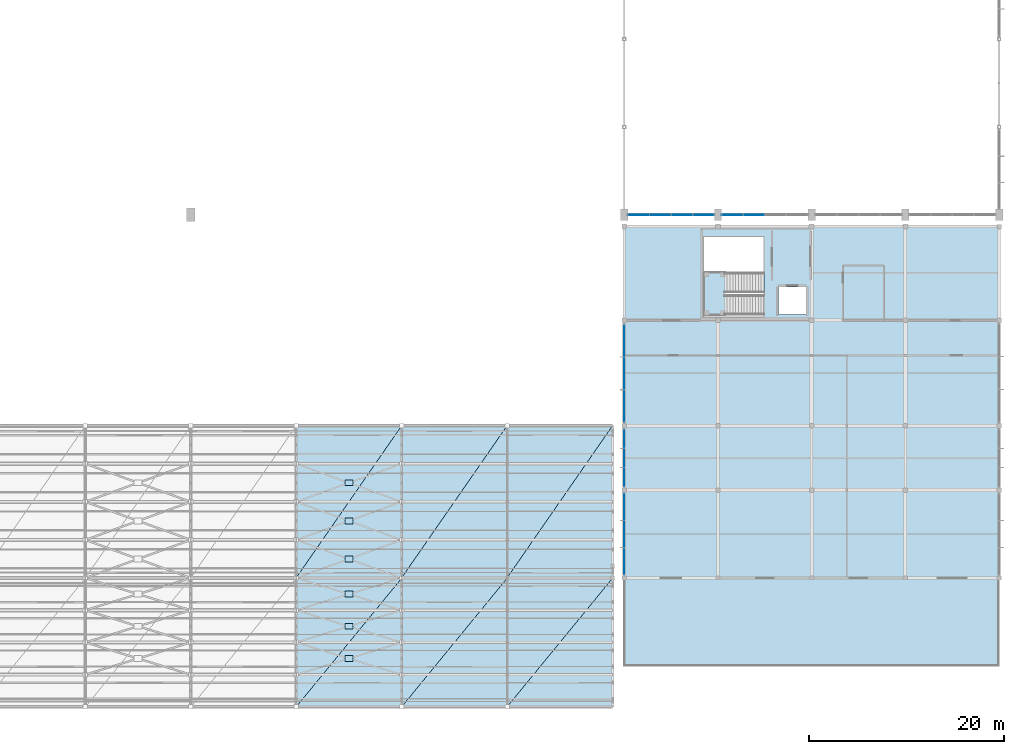
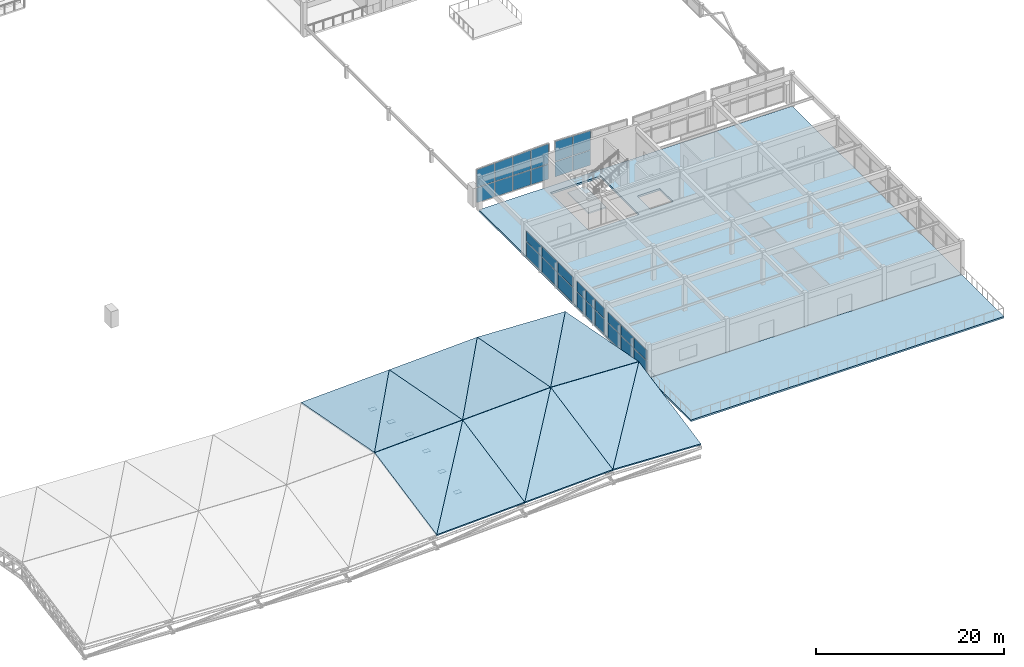
# One storey, part 60 of 89: 36 plates, 15 slabs, 6 elements without a shape of their own.
"""IFC4 building model written with IfcOpenShell, lengths in metres."""

from ifc_helpers import new_model, si_unit, direction, frame, origin, origin_2d, place, context, subcontext, project, spatial, polyline, rectangle, outline, extrude, material, layer, layer_set, type_object, element, aggregate, save


model = new_model("IFC4")

# Units and contexts
model_context = context("Model", 3, precision=1e-05, world=origin(), true_north=direction((0.0, 1.0)))
body_context = subcontext(model_context, "Body", "Model", "MODEL_VIEW")
ifc_project = project(units=[si_unit("LENGTHUNIT", "METRE"), si_unit("AREAUNIT", "SQUARE_METRE"), si_unit("VOLUMEUNIT", "CUBIC_METRE"), si_unit("PLANEANGLEUNIT", "RADIAN"), si_unit("MASSUNIT", "GRAM", prefix="KILO")], contexts=[model_context])

# Site, building, storey
site_placement = place(None, origin())
site = spatial("IfcSite", under=ifc_project, at=site_placement, CompositionType="ELEMENT")
building_placement = place(site_placement, origin())
building = spatial("IfcBuilding", under=site, at=building_placement, Name="Suirenkawa Promenade Aquatics Centre", CompositionType="ELEMENT")
storey_placement = place(building_placement, frame((0.0, 0.0, 9.60009765625)))
storey = spatial("IfcBuildingStorey", under=building, at=storey_placement, Name="L02", CompositionType="ELEMENT", Elevation=9.60009765625)

# Curtain wall, plates
ifc_material_1 = material(Name="Anodised aluminium 6063-T6", Category="aluminium")
curtain_wall_type_1 = type_object("IfcCurtainWallType", Name="CWAT-V4WL02-36", PredefinedType="NOTDEFINED", material=ifc_material_1)
curtain_wall_1_placement = place(storey_placement, origin())
curtain_wall_1 = element("IfcCurtainWall", 1, at=curtain_wall_1_placement, inside=storey, type_object=curtain_wall_type_1, Name="Curtain wall CWA-36 CW-079", PredefinedType="NOTDEFINED")
ifc_material_2 = material(Name="Low-E thermally broken double glazing", Category="glass")
ifc_layer_1 = layer(ifc_material_2, 0.028076171875, Name="Low-E thermally broken double glazing", Category="glass")
ifc_layer_set_1 = layer_set([ifc_layer_1], Name="Low-E thermally broken double glazing")
plate_type_1 = type_object("IfcPlateType", Name="CWP-LOWE-28", PredefinedType="CURTAIN_PANEL", material=ifc_layer_set_1)
plate_1_placement = place(storey_placement, frame((156.0, 13.549072265625, 0.039794921875), z_axis=(0.0, 0.0, 1.0), x_axis=(0.0, 1.0, 0.0)))
plate_1 = element("IfcPlate", 2, at=plate_1_placement, type_object=plate_type_1, Name="Glazed panel CP-02 CWP-01578", PredefinedType="CURTAIN_PANEL", context=body_context, shape_type="SweptSolid", body=[
    extrude(outline(polyline([(0.0400390625, 0.0), (2.727294921875, 0.0), (2.727294921875, 1.920166015625), (0.0400390625, 1.920166015625), (0.0400390625, 0.0)])), frame((0.0, 0.01416015625, 0.0), z_axis=(0.0, -1.0, 0.0), x_axis=(1.0, 0.0, 0.0)), (0.0, 0.0, 1.0), 0.028076171875),
])
plate_2_placement = place(storey_placement, frame((156.0, 13.549072265625, 2.039794921875), z_axis=(0.0, 0.0, 1.0), x_axis=(0.0, 1.0, 0.0)))
plate_2 = element("IfcPlate", 3, at=plate_2_placement, type_object=plate_type_1, Name="Top glazed panel CP-02 CWP-01579", PredefinedType="CURTAIN_PANEL", context=body_context, shape_type="SweptSolid", body=[
    extrude(outline(polyline([(0.0400390625, 0.0), (2.727294921875, 0.0), (2.727294921875, 1.340087890625), (0.0400390625, 1.340087890625), (0.0400390625, 0.0)])), frame((0.0, 0.01416015625, 0.0), z_axis=(0.0, -1.0, 0.0), x_axis=(1.0, 0.0, 0.0)), (0.0, 0.0, 1.0), 0.028076171875),
])
plate_3_placement = place(storey_placement, frame((156.0, 16.31640625, 0.039794921875), z_axis=(0.0, 0.0, 1.0), x_axis=(0.0, 1.0, 0.0)))
plate_3 = element("IfcPlate", 4, at=plate_3_placement, type_object=plate_type_1, Name="Glazed panel CP-02 CWP-01580", PredefinedType="CURTAIN_PANEL", context=body_context, shape_type="SweptSolid", body=[
    extrude(outline(polyline([(0.0400390625, 0.0), (2.727294921875, 0.0), (2.727294921875, 1.920166015625), (0.0400390625, 1.920166015625), (0.0400390625, 0.0)])), frame((0.0, 0.01416015625, 0.0), z_axis=(0.0, -1.0, 0.0), x_axis=(1.0, 0.0, 0.0)), (0.0, 0.0, 1.0), 0.028076171875),
])
plate_4_placement = place(storey_placement, frame((156.0, 16.31640625, 2.039794921875), z_axis=(0.0, 0.0, 1.0), x_axis=(0.0, 1.0, 0.0)))
plate_4 = element("IfcPlate", 5, at=plate_4_placement, type_object=plate_type_1, Name="Top glazed panel CP-02 CWP-01581", PredefinedType="CURTAIN_PANEL", context=body_context, shape_type="SweptSolid", body=[
    extrude(outline(polyline([(0.0400390625, 0.0), (2.727294921875, 0.0), (2.727294921875, 1.340087890625), (0.0400390625, 1.340087890625), (0.0400390625, 0.0)])), frame((0.0, 0.01416015625, 0.0), z_axis=(0.0, -1.0, 0.0), x_axis=(1.0, 0.0, 0.0)), (0.0, 0.0, 1.0), 0.028076171875),
])
plate_5_placement = place(storey_placement, frame((156.0, 19.083740234375, 0.039794921875), z_axis=(0.0, 0.0, 1.0), x_axis=(0.0, 1.0, 0.0)))
plate_5 = element("IfcPlate", 6, at=plate_5_placement, type_object=plate_type_1, Name="Glazed panel CP-02 CWP-01582", PredefinedType="CURTAIN_PANEL", context=body_context, shape_type="SweptSolid", body=[
    extrude(outline(polyline([(0.0400390625, 0.0), (2.727294921875, 0.0), (2.727294921875, 1.920166015625), (0.0400390625, 1.920166015625), (0.0400390625, 0.0)])), frame((0.0, 0.01416015625, 0.0), z_axis=(0.0, -1.0, 0.0), x_axis=(1.0, 0.0, 0.0)), (0.0, 0.0, 1.0), 0.028076171875),
])
plate_6_placement = place(storey_placement, frame((156.0, 19.083740234375, 2.039794921875), z_axis=(0.0, 0.0, 1.0), x_axis=(0.0, 1.0, 0.0)))
plate_6 = element("IfcPlate", 7, at=plate_6_placement, type_object=plate_type_1, Name="Top glazed panel CP-02 CWP-01583", PredefinedType="CURTAIN_PANEL", context=body_context, shape_type="SweptSolid", body=[
    extrude(outline(polyline([(0.0400390625, 0.0), (2.727294921875, 0.0), (2.727294921875, 1.340087890625), (0.0400390625, 1.340087890625), (0.0400390625, 0.0)])), frame((0.0, 0.01416015625, 0.0), z_axis=(0.0, -1.0, 0.0), x_axis=(1.0, 0.0, 0.0)), (0.0, 0.0, 1.0), 0.028076171875),
])
aggregate(curtain_wall_1, [plate_1, plate_2, plate_3, plate_4, plate_5, plate_6])

curtain_wall_type_2 = type_object("IfcCurtainWallType", Name="CWAT-V4WL02-38", PredefinedType="NOTDEFINED", material=ifc_material_1)
curtain_wall_2_placement = place(storey_placement, origin())
curtain_wall_2 = element("IfcCurtainWall", 8, at=curtain_wall_2_placement, inside=storey, type_object=curtain_wall_type_2, Name="Curtain wall CWA-38 CW-081", PredefinedType="NOTDEFINED")
plate_7_placement = place(storey_placement, frame((156.0, 22.549072265625, 0.039794921875), z_axis=(0.0, 0.0, 1.0), x_axis=(0.0, 1.0, 0.0)))
plate_7 = element("IfcPlate", 9, at=plate_7_placement, type_object=plate_type_1, Name="Glazed panel CP-02 CWP-01612", PredefinedType="CURTAIN_PANEL", context=body_context, shape_type="SweptSolid", body=[
    extrude(outline(polyline([(0.0400390625, 0.0), (1.92724609375, 0.0), (1.92724609375, 1.920166015625), (0.0400390625, 1.920166015625), (0.0400390625, 0.0)])), frame((0.0, 0.01416015625, 0.0), z_axis=(0.0, -1.0, 0.0), x_axis=(1.0, 0.0, 0.0)), (0.0, 0.0, 1.0), 0.028076171875),
])
plate_8_placement = place(storey_placement, frame((156.0, 22.549072265625, 2.039794921875), z_axis=(0.0, 0.0, 1.0), x_axis=(0.0, 1.0, 0.0)))
plate_8 = element("IfcPlate", 10, at=plate_8_placement, type_object=plate_type_1, Name="Top glazed panel CP-02 CWP-01613", PredefinedType="CURTAIN_PANEL", context=body_context, shape_type="SweptSolid", body=[
    extrude(outline(polyline([(0.0400390625, 0.0), (1.92724609375, 0.0), (1.92724609375, 1.340087890625), (0.0400390625, 1.340087890625), (0.0400390625, 0.0)])), frame((0.0, 0.01416015625, 0.0), z_axis=(0.0, -1.0, 0.0), x_axis=(1.0, 0.0, 0.0)), (0.0, 0.0, 1.0), 0.028076171875),
])
plate_9_placement = place(storey_placement, frame((156.0, 24.516357421875, 0.039794921875), z_axis=(0.0, 0.0, 1.0), x_axis=(0.0, 1.0, 0.0)))
plate_9 = element("IfcPlate", 11, at=plate_9_placement, type_object=plate_type_1, Name="Glazed panel CP-02 CWP-01614", PredefinedType="CURTAIN_PANEL", context=body_context, shape_type="SweptSolid", body=[
    extrude(outline(polyline([(0.0400390625, 0.0), (1.92724609375, 0.0), (1.92724609375, 1.920166015625), (0.0400390625, 1.920166015625), (0.0400390625, 0.0)])), frame((0.0, 0.01416015625, 0.0), z_axis=(0.0, -1.0, 0.0), x_axis=(1.0, 0.0, 0.0)), (0.0, 0.0, 1.0), 0.028076171875),
])
plate_10_placement = place(storey_placement, frame((156.0, 24.516357421875, 2.039794921875), z_axis=(0.0, 0.0, 1.0), x_axis=(0.0, 1.0, 0.0)))
plate_10 = element("IfcPlate", 12, at=plate_10_placement, type_object=plate_type_1, Name="Top glazed panel CP-02 CWP-01615", PredefinedType="CURTAIN_PANEL", context=body_context, shape_type="SweptSolid", body=[
    extrude(outline(polyline([(0.0400390625, 0.0), (1.92724609375, 0.0), (1.92724609375, 1.340087890625), (0.0400390625, 1.340087890625), (0.0400390625, 0.0)])), frame((0.0, 0.01416015625, 0.0), z_axis=(0.0, -1.0, 0.0), x_axis=(1.0, 0.0, 0.0)), (0.0, 0.0, 1.0), 0.028076171875),
])
plate_11_placement = place(storey_placement, frame((156.0, 26.483642578125, 0.039794921875), z_axis=(0.0, 0.0, 1.0), x_axis=(0.0, 1.0, 0.0)))
plate_11 = element("IfcPlate", 13, at=plate_11_placement, type_object=plate_type_1, Name="Glazed panel CP-02 CWP-01616", PredefinedType="CURTAIN_PANEL", context=body_context, shape_type="SweptSolid", body=[
    extrude(outline(polyline([(0.0400390625, 0.0), (1.92724609375, 0.0), (1.92724609375, 1.920166015625), (0.0400390625, 1.920166015625), (0.0400390625, 0.0)])), frame((0.0, 0.01416015625, 0.0), z_axis=(0.0, -1.0, 0.0), x_axis=(1.0, 0.0, 0.0)), (0.0, 0.0, 1.0), 0.028076171875),
])
plate_12_placement = place(storey_placement, frame((156.0, 26.483642578125, 2.039794921875), z_axis=(0.0, 0.0, 1.0), x_axis=(0.0, 1.0, 0.0)))
plate_12 = element("IfcPlate", 14, at=plate_12_placement, type_object=plate_type_1, Name="Top glazed panel CP-02 CWP-01617", PredefinedType="CURTAIN_PANEL", context=body_context, shape_type="SweptSolid", body=[
    extrude(outline(polyline([(0.0400390625, 0.0), (1.92724609375, 0.0), (1.92724609375, 1.340087890625), (0.0400390625, 1.340087890625), (0.0400390625, 0.0)])), frame((0.0, 0.01416015625, 0.0), z_axis=(0.0, -1.0, 0.0), x_axis=(1.0, 0.0, 0.0)), (0.0, 0.0, 1.0), 0.028076171875),
])
aggregate(curtain_wall_2, [plate_7, plate_8, plate_9, plate_10, plate_11, plate_12])

curtain_wall_type_3 = type_object("IfcCurtainWallType", Name="CWAT-V4WL02-40", PredefinedType="NOTDEFINED", material=ifc_material_1)
curtain_wall_3_placement = place(storey_placement, origin())
curtain_wall_3 = element("IfcCurtainWall", 15, at=curtain_wall_3_placement, inside=storey, type_object=curtain_wall_type_3, Name="Curtain wall CWA-40 CW-083", PredefinedType="NOTDEFINED")
plate_13_placement = place(storey_placement, frame((156.0, 29.14892578125, 0.039794921875), z_axis=(0.0, 0.0, 1.0), x_axis=(0.0, 1.0, 0.0)))
plate_13 = element("IfcPlate", 16, at=plate_13_placement, type_object=plate_type_1, Name="Glazed panel CP-02 CWP-01646", PredefinedType="CURTAIN_PANEL", context=body_context, shape_type="SweptSolid", body=[
    extrude(outline(polyline([(0.0400390625, 0.0), (3.2939453125, 0.0), (3.2939453125, 1.920166015625), (0.0400390625, 1.920166015625), (0.0400390625, 0.0)])), frame((0.0, 0.01416015625, 0.0), z_axis=(0.0, -1.0, 0.0), x_axis=(1.0, 0.0, 0.0)), (0.0, 0.0, 1.0), 0.028076171875),
])
plate_14_placement = place(storey_placement, frame((156.0, 29.14892578125, 2.039794921875), z_axis=(0.0, 0.0, 1.0), x_axis=(0.0, 1.0, 0.0)))
plate_14 = element("IfcPlate", 17, at=plate_14_placement, type_object=plate_type_1, Name="Top glazed panel CP-02 CWP-01647", PredefinedType="CURTAIN_PANEL", context=body_context, shape_type="SweptSolid", body=[
    extrude(outline(polyline([(0.0400390625, 0.0), (3.2939453125, 0.0), (3.2939453125, 1.340087890625), (0.0400390625, 1.340087890625), (0.0400390625, 0.0)])), frame((0.0, 0.01416015625, 0.0), z_axis=(0.0, -1.0, 0.0), x_axis=(1.0, 0.0, 0.0)), (0.0, 0.0, 1.0), 0.028076171875),
])
plate_15_placement = place(storey_placement, frame((156.0, 32.48291015625, 0.039794921875), z_axis=(0.0, 0.0, 1.0), x_axis=(0.0, 1.0, 0.0)))
plate_15 = element("IfcPlate", 18, at=plate_15_placement, type_object=plate_type_1, Name="Glazed panel CP-02 CWP-01648", PredefinedType="CURTAIN_PANEL", context=body_context, shape_type="SweptSolid", body=[
    extrude(outline(polyline([(0.0400390625, 0.0), (3.2939453125, 0.0), (3.2939453125, 1.920166015625), (0.0400390625, 1.920166015625), (0.0400390625, 0.0)])), frame((0.0, 0.01416015625, 0.0), z_axis=(0.0, -1.0, 0.0), x_axis=(1.0, 0.0, 0.0)), (0.0, 0.0, 1.0), 0.028076171875),
])
plate_16_placement = place(storey_placement, frame((156.0, 32.48291015625, 2.039794921875), z_axis=(0.0, 0.0, 1.0), x_axis=(0.0, 1.0, 0.0)))
plate_16 = element("IfcPlate", 19, at=plate_16_placement, type_object=plate_type_1, Name="Top glazed panel CP-02 CWP-01649", PredefinedType="CURTAIN_PANEL", context=body_context, shape_type="SweptSolid", body=[
    extrude(outline(polyline([(0.0400390625, 0.0), (3.2939453125, 0.0), (3.2939453125, 1.340087890625), (0.0400390625, 1.340087890625), (0.0400390625, 0.0)])), frame((0.0, 0.01416015625, 0.0), z_axis=(0.0, -1.0, 0.0), x_axis=(1.0, 0.0, 0.0)), (0.0, 0.0, 1.0), 0.028076171875),
])
plate_17_placement = place(storey_placement, frame((156.0, 35.81689453125, 0.039794921875), z_axis=(0.0, 0.0, 1.0), x_axis=(0.0, 1.0, 0.0)))
plate_17 = element("IfcPlate", 20, at=plate_17_placement, type_object=plate_type_1, Name="Glazed panel CP-02 CWP-01650", PredefinedType="CURTAIN_PANEL", context=body_context, shape_type="SweptSolid", body=[
    extrude(outline(polyline([(0.0400390625, 0.0), (3.2939453125, 0.0), (3.2939453125, 1.920166015625), (0.0400390625, 1.920166015625), (0.0400390625, 0.0)])), frame((0.0, 0.01416015625, 0.0), z_axis=(0.0, -1.0, 0.0), x_axis=(1.0, 0.0, 0.0)), (0.0, 0.0, 1.0), 0.028076171875),
])
plate_18_placement = place(storey_placement, frame((156.0, 35.81689453125, 2.039794921875), z_axis=(0.0, 0.0, 1.0), x_axis=(0.0, 1.0, 0.0)))
plate_18 = element("IfcPlate", 21, at=plate_18_placement, type_object=plate_type_1, Name="Top glazed panel CP-02 CWP-01651", PredefinedType="CURTAIN_PANEL", context=body_context, shape_type="SweptSolid", body=[
    extrude(outline(polyline([(0.0400390625, 0.0), (3.2939453125, 0.0), (3.2939453125, 1.340087890625), (0.0400390625, 1.340087890625), (0.0400390625, 0.0)])), frame((0.0, 0.01416015625, 0.0), z_axis=(0.0, -1.0, 0.0), x_axis=(1.0, 0.0, 0.0)), (0.0, 0.0, 1.0), 0.028076171875),
])
aggregate(curtain_wall_3, [plate_13, plate_14, plate_15, plate_16, plate_17, plate_18])

curtain_wall_type_4 = type_object("IfcCurtainWallType", Name="CWAT-V2S-16", PredefinedType="NOTDEFINED", material=ifc_material_1)
curtain_wall_4_placement = place(storey_placement, origin())
curtain_wall_4 = element("IfcCurtainWall", 22, at=curtain_wall_4_placement, inside=storey, type_object=curtain_wall_type_4, Name="Curtain wall CWA-16 CW-035", PredefinedType="NOTDEFINED")
ifc_material_3 = material(Name="Ceramic-fritted low-SHGC double glazing", Category="glass")
ifc_layer_2 = layer(ifc_material_3, 0.035888671875, Name="Ceramic-fritted low-SHGC double glazing", Category="glass")
ifc_layer_set_2 = layer_set([ifc_layer_2], Name="Ceramic-fritted low-SHGC double glazing")
plate_type_2 = type_object("IfcPlateType", Name="CWP-SHOJI-36", PredefinedType="CURTAIN_PANEL", material=ifc_layer_set_2)
plate_19_placement = place(storey_placement, frame((165.22607421875, 50.39990234375, 0.039794921875), z_axis=(0.0, 0.0, 1.0), x_axis=(-1.0, 0.0, 0.0)))
plate_19 = element("IfcPlate", 23, at=plate_19_placement, type_object=plate_type_2, Name="Glazed panel CP-01 CWP-00731", PredefinedType="CURTAIN_PANEL", context=body_context, shape_type="SweptSolid", body=[
    extrude(outline(polyline([(0.0400390625, 0.0), (2.173095703125, 0.0), (2.173095703125, 1.920166015625), (0.0400390625, 1.920166015625), (0.0400390625, 0.0)])), frame((0.0, 0.01806640625, 0.0), z_axis=(0.0, -1.0, 0.0), x_axis=(1.0, 0.0, 0.0)), (0.0, 0.0, 1.0), 0.035888671875),
])
plate_20_placement = place(storey_placement, frame((165.22607421875, 50.39990234375, 2.039794921875), z_axis=(0.0, 0.0, 1.0), x_axis=(-1.0, 0.0, 0.0)))
plate_20 = element("IfcPlate", 24, at=plate_20_placement, type_object=plate_type_2, Name="Top glazed panel CP-01 CWP-00732", PredefinedType="CURTAIN_PANEL", context=body_context, shape_type="SweptSolid", body=[
    extrude(outline(polyline([(0.0400390625, 0.0), (2.173095703125, 0.0), (2.173095703125, 2.4951171875), (0.0400390625, 2.570068359375), (0.0400390625, 0.0)])), frame((0.0, 0.01806640625, 0.0), z_axis=(0.0, -1.0, 0.0), x_axis=(1.0, 0.0, 0.0)), (0.0, 0.0, 1.0), 0.035888671875),
])
plate_21_placement = place(storey_placement, frame((163.012939453125, 50.39990234375, 0.039794921875), z_axis=(0.0, 0.0, 1.0), x_axis=(-1.0, 0.0, 0.0)))
plate_21 = element("IfcPlate", 25, at=plate_21_placement, type_object=plate_type_2, Name="Glazed panel CP-01 CWP-00733", PredefinedType="CURTAIN_PANEL", context=body_context, shape_type="SweptSolid", body=[
    extrude(outline(polyline([(0.0400390625, 0.0), (2.173095703125, 0.0), (2.173095703125, 1.920166015625), (0.0400390625, 1.920166015625), (0.0400390625, 0.0)])), frame((0.0, 0.01806640625, 0.0), z_axis=(0.0, -1.0, 0.0), x_axis=(1.0, 0.0, 0.0)), (0.0, 0.0, 1.0), 0.035888671875),
])
plate_22_placement = place(storey_placement, frame((163.012939453125, 50.39990234375, 2.039794921875), z_axis=(0.0, 0.0, 1.0), x_axis=(-1.0, 0.0, 0.0)))
plate_22 = element("IfcPlate", 26, at=plate_22_placement, type_object=plate_type_2, Name="Top glazed panel CP-01 CWP-00734", PredefinedType="CURTAIN_PANEL", context=body_context, shape_type="SweptSolid", body=[
    extrude(outline(polyline([(0.0400390625, 0.0), (2.173095703125, 0.0), (2.173095703125, 2.420166015625), (0.0400390625, 2.4951171875), (0.0400390625, 0.0)])), frame((0.0, 0.01806640625, 0.0), z_axis=(0.0, -1.0, 0.0), x_axis=(1.0, 0.0, 0.0)), (0.0, 0.0, 1.0), 0.035888671875),
])
plate_23_placement = place(storey_placement, frame((160.800048828125, 50.39990234375, 0.039794921875), z_axis=(0.0, 0.0, 1.0), x_axis=(-1.0, 0.0, 0.0)))
plate_23 = element("IfcPlate", 27, at=plate_23_placement, type_object=plate_type_2, Name="Glazed panel CP-01 CWP-00735", PredefinedType="CURTAIN_PANEL", context=body_context, shape_type="SweptSolid", body=[
    extrude(outline(polyline([(0.0400390625, 0.0), (2.173095703125, 0.0), (2.173095703125, 1.920166015625), (0.0400390625, 1.920166015625), (0.0400390625, 0.0)])), frame((0.0, 0.01806640625, 0.0), z_axis=(0.0, -1.0, 0.0), x_axis=(1.0, 0.0, 0.0)), (0.0, 0.0, 1.0), 0.035888671875),
])
plate_24_placement = place(storey_placement, frame((160.800048828125, 50.39990234375, 2.039794921875), z_axis=(0.0, 0.0, 1.0), x_axis=(-1.0, 0.0, 0.0)))
plate_24 = element("IfcPlate", 28, at=plate_24_placement, type_object=plate_type_2, Name="Top glazed panel CP-01 CWP-00736", PredefinedType="CURTAIN_PANEL", context=body_context, shape_type="SweptSolid", body=[
    extrude(outline(polyline([(0.0400390625, 0.0), (2.173095703125, 0.0), (2.173095703125, 2.34521484375), (0.0400390625, 2.420166015625), (0.0400390625, 0.0)])), frame((0.0, 0.01806640625, 0.0), z_axis=(0.0, -1.0, 0.0), x_axis=(1.0, 0.0, 0.0)), (0.0, 0.0, 1.0), 0.035888671875),
])
plate_25_placement = place(storey_placement, frame((158.5869140625, 50.39990234375, 0.039794921875), z_axis=(0.0, 0.0, 1.0), x_axis=(-1.0, 0.0, 0.0)))
plate_25 = element("IfcPlate", 29, at=plate_25_placement, type_object=plate_type_2, Name="Glazed panel CP-01 CWP-00737", PredefinedType="CURTAIN_PANEL", context=body_context, shape_type="SweptSolid", body=[
    extrude(outline(polyline([(0.0400390625, 0.0), (2.173095703125, 0.0), (2.173095703125, 1.920166015625), (0.0400390625, 1.920166015625), (0.0400390625, 0.0)])), frame((0.0, 0.01806640625, 0.0), z_axis=(0.0, -1.0, 0.0), x_axis=(1.0, 0.0, 0.0)), (0.0, 0.0, 1.0), 0.035888671875),
])
plate_26_placement = place(storey_placement, frame((158.5869140625, 50.39990234375, 2.039794921875), z_axis=(0.0, 0.0, 1.0), x_axis=(-1.0, 0.0, 0.0)))
plate_26 = element("IfcPlate", 30, at=plate_26_placement, type_object=plate_type_2, Name="Top glazed panel CP-01 CWP-00738", PredefinedType="CURTAIN_PANEL", context=body_context, shape_type="SweptSolid", body=[
    extrude(outline(polyline([(0.0400390625, 0.0), (2.173095703125, 0.0), (2.173095703125, 2.27001953125), (0.0400390625, 2.34521484375), (0.0400390625, 0.0)])), frame((0.0, 0.01806640625, 0.0), z_axis=(0.0, -1.0, 0.0), x_axis=(1.0, 0.0, 0.0)), (0.0, 0.0, 1.0), 0.035888671875),
])
aggregate(curtain_wall_4, [plate_19, plate_20, plate_21, plate_22, plate_23, plate_24, plate_25, plate_26])

curtain_wall_5_placement = place(storey_placement, origin())
curtain_wall_5 = element("IfcCurtainWall", 31, at=curtain_wall_5_placement, inside=storey, type_object=curtain_wall_type_4, Name="Curtain wall CWA-16 CW-039", PredefinedType="NOTDEFINED")
plate_27_placement = place(storey_placement, frame((170.39990234375, 50.39990234375, 0.039794921875), z_axis=(0.0, 0.0, 1.0), x_axis=(-1.0, 0.0, 0.0)))
plate_27 = element("IfcPlate", 32, at=plate_27_placement, type_object=plate_type_2, Name="Glazed panel CP-01 CWP-00813", PredefinedType="CURTAIN_PANEL", context=body_context, shape_type="SweptSolid", body=[
    extrude(outline(polyline([(0.0400390625, 0.0), (2.173095703125, 0.0), (2.173095703125, 1.920166015625), (0.0400390625, 1.920166015625), (0.0400390625, 0.0)])), frame((0.0, 0.01806640625, 0.0), z_axis=(0.0, -1.0, 0.0), x_axis=(1.0, 0.0, 0.0)), (0.0, 0.0, 1.0), 0.035888671875),
])
plate_28_placement = place(storey_placement, frame((170.39990234375, 50.39990234375, 2.039794921875), z_axis=(0.0, 0.0, 1.0), x_axis=(-1.0, 0.0, 0.0)))
plate_28 = element("IfcPlate", 33, at=plate_28_placement, type_object=plate_type_2, Name="Top glazed panel CP-01 CWP-00814", PredefinedType="CURTAIN_PANEL", context=body_context, shape_type="SweptSolid", body=[
    extrude(outline(polyline([(0.0400390625, 0.0), (2.173095703125, 0.0), (2.173095703125, 2.507568359375), (0.0400390625, 2.445068359375), (0.0400390625, 0.0)])), frame((0.0, 0.01806640625, 0.0), z_axis=(0.0, -1.0, 0.0), x_axis=(1.0, 0.0, 0.0)), (0.0, 0.0, 1.0), 0.035888671875),
])
plate_29_placement = place(storey_placement, frame((168.18701171875, 50.39990234375, 0.039794921875), z_axis=(0.0, 0.0, 1.0), x_axis=(-1.0, 0.0, 0.0)))
plate_29 = element("IfcPlate", 34, at=plate_29_placement, type_object=plate_type_2, Name="Glazed panel CP-01 CWP-00815", PredefinedType="CURTAIN_PANEL", context=body_context, shape_type="SweptSolid", body=[
    extrude(outline(polyline([(0.0400390625, 0.0), (2.173095703125, 0.0), (2.173095703125, 1.920166015625), (0.0400390625, 1.920166015625), (0.0400390625, 0.0)])), frame((0.0, 0.01806640625, 0.0), z_axis=(0.0, -1.0, 0.0), x_axis=(1.0, 0.0, 0.0)), (0.0, 0.0, 1.0), 0.035888671875),
])
plate_30_placement = place(storey_placement, frame((168.18701171875, 50.39990234375, 2.039794921875), z_axis=(0.0, 0.0, 1.0), x_axis=(-1.0, 0.0, 0.0)))
plate_30 = element("IfcPlate", 35, at=plate_30_placement, type_object=plate_type_2, Name="Top glazed panel CP-01 CWP-00816", PredefinedType="CURTAIN_PANEL", context=body_context, shape_type="SweptSolid", body=[
    extrude(outline(polyline([(0.0400390625, 0.0), (2.173095703125, 0.0), (2.173095703125, 2.570068359375), (0.0400390625, 2.507568359375), (0.0400390625, 0.0)])), frame((0.0, 0.01806640625, 0.0), z_axis=(0.0, -1.0, 0.0), x_axis=(1.0, 0.0, 0.0)), (0.0, 0.0, 1.0), 0.035888671875),
])
aggregate(curtain_wall_5, [plate_27, plate_28, plate_29, plate_30])

# Plates
ifc_material_4 = material(Name="Steel IS 2062 E350 (Grade 350)", Category="steel")
ifc_layer_3 = layer(ifc_material_4, 0.02392578125, Name="Steel IS 2062 E350 (Grade 350)", Category="steel")
ifc_layer_set_3 = layer_set([ifc_layer_3], Name="Steel IS 2062 E350 (Grade 350)")
plate_type_3 = type_object("IfcPlateType", Name="PLT-GUSSET-800x600x24", PredefinedType="USERDEFINED", material=ifc_layer_set_3)
for number, where, z_axis, x_axis, name in (
    (36, (127.800048828125, 4.949951171875, 0.096923828125), (0.0, 0.0, 1.0), (1.0, 0.0, 0.0), "Truss node plate TN-04 PLG-0240"),
    (37, (127.800048828125, 8.25, 0.760009765625), (0.0, 0.0, 1.0), (1.0, 0.0, 0.0), "Truss node plate TN-04 PLG-0245"),
    (38, (127.800048828125, 11.550048828125, 1.421875), (0.0, 0.0, 1.0), (1.0, 0.0, 0.0), "Truss node plate TN-04 PLG-0248"),
    (39, (127.800048828125, 15.14990234375, 1.384033203125), (0.0, 0.0, 1.0), (1.0, 0.0, 0.0), "Truss node plate TN-04 PLG-0251"),
    (40, (127.800048828125, 19.050048828125, 0.64697265625), (0.0, 0.0, 1.0), (1.0, 0.0, 0.0), "Truss node plate TN-04 PLG-0254"),
    (41, (127.800048828125, 22.949951171875, -0.091064453125), (0.0, 0.0, 1.0), (1.0, 0.0, 0.0), "Truss node plate TN-04 PLG-0257"),
):
    element("IfcPlate", number, at=place(storey_placement, frame(where, z_axis=z_axis, x_axis=x_axis)), inside=storey, type_object=plate_type_3, Name=name, ObjectType="GUSSET", PredefinedType="USERDEFINED", context=body_context, shape_type="SweptSolid", body=[
        extrude(rectangle(XDim=0.800048828125, YDim=0.60009765625, at=origin_2d()), origin(), (0.0, 0.0, 1.0), 0.02392578125),
    ])

# Stair, slab
ifc_material_5 = material(Name="Concrete M40", Category="concrete")
stair_type = type_object("IfcStairType", Name="STT-CORE-2100-450", PredefinedType="TWO_STRAIGHT_RUN_STAIR", material=ifc_material_5)
stair_placement = place(storey_placement, origin())
stair = element("IfcStair", 42, at=stair_placement, inside=storey, type_object=stair_type, Name="Protected exit stair STR-02 ST-21", PredefinedType="TWO_STRAIGHT_RUN_STAIR")
ifc_layer_4 = layer(ifc_material_5, 0.169921875, Name="Concrete M40", Category="concrete")
ifc_layer_set_4 = layer_set([ifc_layer_4], Name="Concrete M40")
slab_type_1 = type_object("IfcSlabType", Name="SLT-LANDING-170", PredefinedType="LANDING", material=ifc_layer_set_4)
slab_1_placement = place(storey_placement, frame((0.0, 0.0, 2.06982421875)))
slab_1 = element("IfcSlab", 43, at=slab_1_placement, type_object=slab_type_1, Name="Stair landing SL-LND-01 SL-8021", PredefinedType="LANDING", context=body_context, shape_type="SweptSolid", body=[
    extrude(outline(polyline([(164.159912109375, 40.1201171875), (166.35009765625, 40.1201171875), (166.35009765625, 44.510009765625), (164.159912109375, 44.510009765625), (164.159912109375, 40.1201171875)])), origin(), (0.0, 0.0, 1.0), 0.18017578125),
])
aggregate(stair, [slab_1])

# Slabs
ifc_material_6 = material(Name="Concrete M35", Category="concrete")
ifc_layer_5 = layer(ifc_material_6, 0.199951171875, Name="Concrete M35", Category="concrete")
ifc_layer_set_5 = layer_set([ifc_layer_5], Name="Concrete M35")
slab_type_2 = type_object("IfcSlabType", Name="SLT-ROOF-V3-200", PredefinedType="ROOF", material=ifc_layer_set_5)
slab_2_placement = place(storey_placement, frame((122.39990234375, 0.0, -0.550048828125), z_axis=(-0.040810333484, -0.196975199713, 0.979558720741), x_axis=(0.9991332688, 0.0, 0.041625847467)))
element("IfcSlab", 44, at=slab_2_placement, inside=storey, type_object=slab_type_2, Name="Folded roof facet SL-ROOF-03 SL-V3-RFS-05-1", PredefinedType="ROOF", context=body_context, shape_type="SweptSolid", body=[
    extrude(outline(polyline([(0.0, 0.0), (10.809417687690482, 0.0), (10.919722118453892, 13.441314412000033), (0.0, 0.0)])), origin(), (0.0, 0.0, -1.0), 0.199951171875),
])
slab_3_placement = place(storey_placement, frame((122.39990234375, 0.0, -0.550048828125), z_axis=(-0.040810333484, -0.196975199713, 0.979558720741), x_axis=(0.62363542698, 0.760946028033, 0.178997197287)))
element("IfcSlab", 45, at=slab_3_placement, inside=storey, type_object=slab_type_2, Name="Folded roof facet SL-ROOF-03 SL-V3-RFS-05-2", PredefinedType="ROOF", context=body_context, shape_type="SweptSolid", body=[
    extrude(outline(polyline([(0.0, 0.0), (17.317888562595932, -1.27675647831893e-15), (10.502055501582918, 8.389751511895799), (0.0, 0.0)])), origin(), (0.0, 0.0, -1.0), 0.199951171875),
])
slab_4_placement = place(storey_placement, frame((122.39990234375, 13.221923828125, 2.099853515625), z_axis=(-0.040900232123, 0.185902721536, 0.981716531967), x_axis=(0.9991332688, 0.0, 0.041625847467)))
element("IfcSlab", 46, at=slab_4_placement, inside=storey, type_object=slab_type_2, Name="Folded roof facet SL-ROOF-03 SL-V3-RFN-05-1", PredefinedType="ROOF", context=body_context, shape_type="SweptSolid", body=[
    extrude(outline(polyline([(0.0, 0.0), (10.809417687690482, 0.0), (10.686623470174888, 15.854498163367278), (0.0, 0.0)])), origin(), (0.0, 0.0, -1.0), 0.199951171875),
])
slab_5_placement = place(storey_placement, frame((122.39990234375, 13.221923828125, 2.099853515625), z_axis=(-0.040900232123, 0.185902721536, 0.981716531967), x_axis=(0.564860256472, 0.814761472184, -0.130754097843)))
element("IfcSlab", 47, at=slab_5_placement, inside=storey, type_object=slab_type_2, Name="Folded roof facet SL-ROOF-03 SL-V3-RFN-05-2", PredefinedType="ROOF", context=body_context, shape_type="SweptSolid", body=[
    extrude(outline(polyline([(0.0, 0.0), (19.119859654440702, -3.885780586188048e-16), (13.078174263022705, 8.9633447093193), (0.0, 0.0)])), origin(), (0.0, 0.0, -1.0), 0.199951171875),
])
slab_6_placement = place(storey_placement, frame((133.199951171875, 0.0, -0.10009765625), z_axis=(-0.040810187595, -0.196992643209, 0.97955521902), x_axis=(0.9991332688, 0.0, 0.041625847467)))
element("IfcSlab", 48, at=slab_6_placement, inside=storey, type_object=slab_type_2, Name="Folded roof facet SL-ROOF-03 SL-V3-RFS-06-1", PredefinedType="ROOF", context=body_context, shape_type="SweptSolid", body=[
    extrude(outline(polyline([(0.0, 0.0), (10.809417687690482, 1.3877787807814457e-17), (10.919732281014308, 13.441362462095094), (0.0, 0.0)])), origin(), (0.0, 0.0, -1.0), 0.199951171875),
])
slab_7_placement = place(storey_placement, frame((133.199951171875, 0.0, -0.10009765625), z_axis=(-0.04083244, -0.196975021662, 0.979557835293), x_axis=(0.623633853223, 0.76094410777, 0.179010843146)))
element("IfcSlab", 49, at=slab_7_placement, inside=storey, type_object=slab_type_2, Name="Folded roof facet SL-ROOF-03 SL-V3-RFS-06-2", PredefinedType="ROOF", context=body_context, shape_type="SweptSolid", body=[
    extrude(outline(polyline([(0.0, 0.0), (17.317932264749306, 2.220446049250313e-16), (10.502066356595584, 8.38973792387754), (0.0, 0.0)])), origin(), (0.0, 0.0, -1.0), 0.199951171875),
])
slab_8_placement = place(storey_placement, frame((133.199951171875, 13.221923828125, 2.5498046875), z_axis=(-0.040922270123, 0.185917406434, 0.981712832652), x_axis=(0.999132329203, 0.0, 0.041648394219)))
element("IfcSlab", 50, at=slab_8_placement, inside=storey, type_object=slab_type_2, Name="Folded roof facet SL-ROOF-03 SL-V3-RFN-06-1", PredefinedType="ROOF", context=body_context, shape_type="SweptSolid", body=[
    extrude(outline(polyline([(0.0, 0.0), (10.80942785300319, 0.0), (10.686556955606159, 15.85454299688562), (0.0, 0.0)])), origin(), (0.0, 0.0, -1.0), 0.199951171875),
])
slab_9_placement = place(storey_placement, frame((133.199951171875, 13.221923828125, 2.5498046875), z_axis=(-0.040900232123, 0.185902721536, 0.981716531967), x_axis=(0.564860256472, 0.814761472184, -0.130754097843)))
element("IfcSlab", 51, at=slab_9_placement, inside=storey, type_object=slab_type_2, Name="Folded roof facet SL-ROOF-03 SL-V3-RFN-06-2", PredefinedType="ROOF", context=body_context, shape_type="SweptSolid", body=[
    extrude(outline(polyline([(0.0, 0.0), (19.119859654440702, -3.885780586188048e-16), (13.078174263022705, 8.9633447093193), (0.0, 0.0)])), origin(), (0.0, 0.0, -1.0), 0.199951171875),
])
slab_10_placement = place(storey_placement, frame((144.0, 0.0, 0.349853515625), z_axis=(0.040810333484, -0.196975199713, 0.979558720741), x_axis=(0.9991332688, 0.0, -0.041625847467)))
element("IfcSlab", 52, at=slab_10_placement, inside=storey, type_object=slab_type_2, Name="Folded roof facet SL-ROOF-03 SL-V3-RFS-07-1", PredefinedType="ROOF", context=body_context, shape_type="SweptSolid", body=[
    extrude(outline(polyline([(0.0, 0.0), (10.809417687690482, 0.0), (10.699113256927074, 13.441314412000034), (0.0, 0.0)])), origin(), (0.0, 0.0, -1.0), 0.199951171875),
])
slab_11_placement = place(storey_placement, frame((144.0, 0.0, 0.349853515625), z_axis=(0.040832294033, -0.196992465143, 0.979554333583), x_axis=(0.62865404411, 0.767069632636, 0.128055735956)))
element("IfcSlab", 53, at=slab_11_placement, inside=storey, type_object=slab_type_2, Name="Folded roof facet SL-ROOF-03 SL-V3-RFS-07-2", PredefinedType="ROOF", context=body_context, shape_type="SweptSolid", body=[
    extrude(outline(polyline([(0.0, 0.0), (17.17963787763853, -7.771561172376096e-16), (10.447793597316933, 8.457304718099175), (0.0, 0.0)])), origin(), (0.0, 0.0, -1.0), 0.199951171875),
])
slab_12_placement = place(storey_placement, frame((144.0, 13.221923828125, 3.0), z_axis=(0.040922387173, 0.185902552753, 0.981715640656), x_axis=(0.999132329203, 0.0, -0.041648394219)))
element("IfcSlab", 54, at=slab_12_placement, inside=storey, type_object=slab_type_2, Name="Folded roof facet SL-ROOF-03 SL-V3-RFN-07-1", PredefinedType="ROOF", context=body_context, shape_type="SweptSolid", body=[
    extrude(outline(polyline([(0.0, 0.0), (10.80942785300319, -1.3877787807814457e-17), (10.932288582335227, 15.854497648089), (0.0, 0.0)])), origin(), (0.0, 0.0, -1.0), 0.199951171875),
])
slab_13_placement = place(storey_placement, frame((144.0, 13.221923828125, 3.0), z_axis=(0.040900115136, 0.18591757523, 0.981713723955), x_axis=(0.560801278009, 0.808906751072, -0.17655535861)))
element("IfcSlab", 55, at=slab_13_placement, inside=storey, type_object=slab_type_2, Name="Folded roof facet SL-ROOF-03 SL-V3-RFN-07-2", PredefinedType="ROOF", context=body_context, shape_type="SweptSolid", body=[
    extrude(outline(polyline([(0.0, 0.0), (19.258245748788152, -2.7755575615628914e-15), (13.122123272912516, 8.898961271295079), (0.0, 0.0)])), origin(), (0.0, 0.0, -1.0), 0.199951171875),
])
ifc_material_7 = material(Name="Waterproof concrete M40", Category="concrete")
ifc_layer_6 = layer(ifc_material_7, 0.219970703125, Name="Waterproof concrete M40", Category="concrete")
ifc_layer_set_6 = layer_set([ifc_layer_6], Name="Waterproof concrete M40")
slab_type_3 = type_object("IfcSlabType", Name="SLT-TERR-220", PredefinedType="FLOOR", material=ifc_layer_set_6)
slab_14_placement = place(storey_placement, frame((0.0, 0.0, -0.22021484375)))
element("IfcSlab", 56, at=slab_14_placement, inside=storey, type_object=slab_type_3, Name="V4 athlete courtyard terrace SL-EXT-01 SL-0058", PredefinedType="FLOOR", context=body_context, shape_type="SweptSolid", body=[
    extrude(outline(polyline([(156.0, 4.199951171875), (194.39990234375, 4.199951171875), (194.39990234375, 13.199951171875), (156.0, 13.199951171875), (156.0, 4.199951171875)])), origin(), (0.0, 0.0, 1.0), 0.22021484375),
])
ifc_layer_7 = layer(ifc_material_6, 0.260009765625, Name="Concrete M35", Category="concrete")
ifc_layer_set_7 = layer_set([ifc_layer_7], Name="Concrete M35")
slab_type_4 = type_object("IfcSlabType", Name="SLT-WELL-260", PredefinedType="FLOOR", material=ifc_layer_set_7)
slab_15_placement = place(storey_placement, frame((0.0, 0.0, -0.260009765625)))
element("IfcSlab", 57, at=slab_15_placement, inside=storey, type_object=slab_type_4, Name="V4 pavilion floor L02 SL-FLR-04 SL-0057", PredefinedType="FLOOR", context=body_context, shape_type="SweptSolid", body=[
    extrude(outline(polyline([(156.0, 13.199951171875), (194.39990234375, 13.199951171875), (194.39990234375, 49.199951171875), (156.0, 49.199951171875), (156.0, 13.199951171875)]), holes=[polyline([(164.159912109375, 39.9599609375), (170.300048828125, 39.9599609375), (170.300048828125, 48.159912109375), (164.159912109375, 48.159912109375), (164.159912109375, 39.9599609375)]), polyline([(171.800048828125, 40.199951171875), (174.60009765625, 40.199951171875), (174.60009765625, 43.0), (171.800048828125, 43.0), (171.800048828125, 40.199951171875)])]), origin(), (0.0, 0.0, 1.0), 0.260009765625),
])

save(model, "model.ifc")
